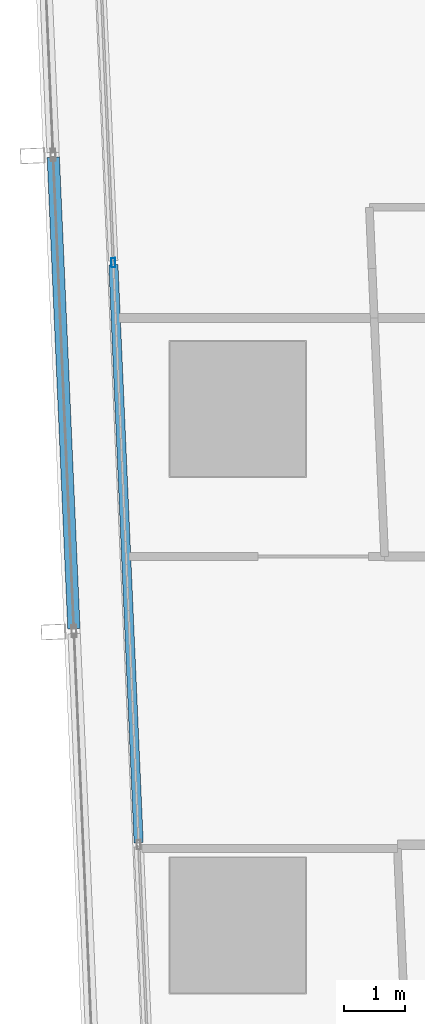
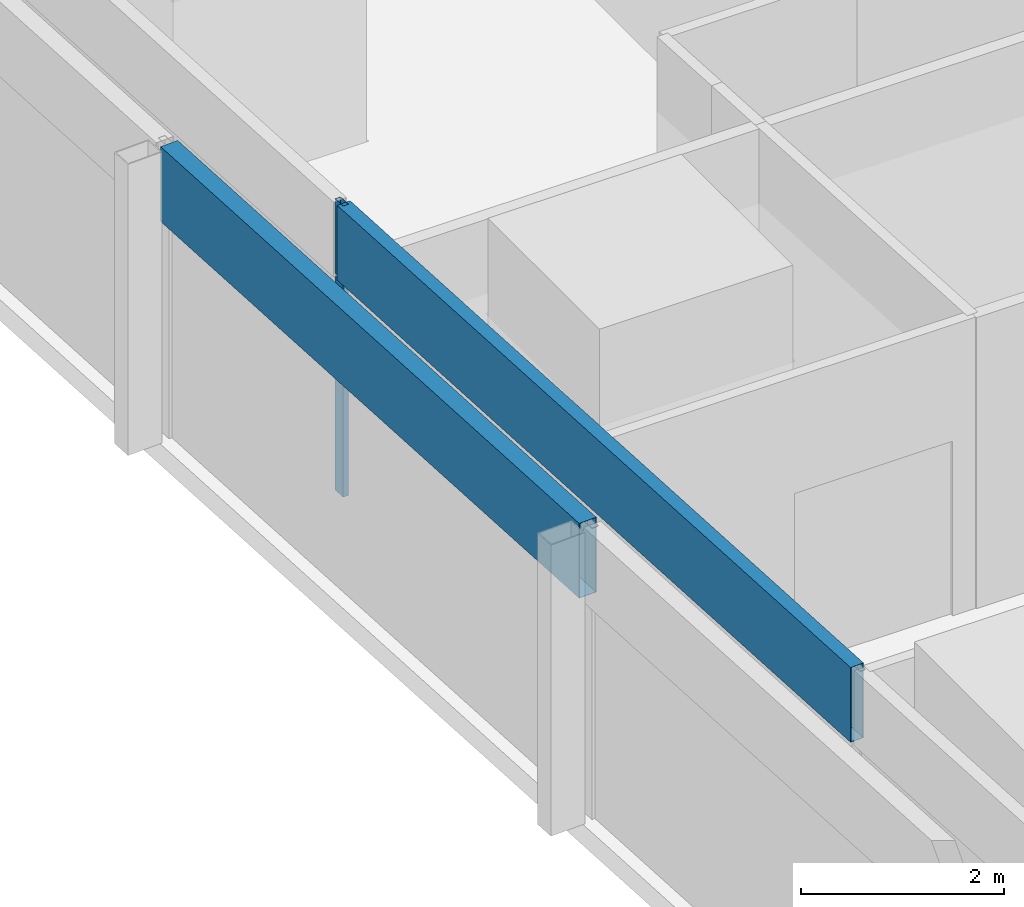
# One storey, part 8 of 45: 3 members, 2 elements without a shape of their own.
"""IFC4 building model written with IfcOpenShell, lengths in metres."""

from ifc_helpers import new_model, si_unit, direction, frame, origin, origin_2d, place, context, subcontext, project, spatial, hollow_rectangle, extrude, material, material_profile, profile_set, type_object, element, aggregate, save


model = new_model("IFC4")

# Units and contexts
model_context = context("Model", 3, precision=1e-05, world=origin(), true_north=direction((0.0, 1.0)))
body_context = subcontext(model_context, "Body", "Model", "MODEL_VIEW")
ifc_project = project(units=[si_unit("LENGTHUNIT", "METRE"), si_unit("AREAUNIT", "SQUARE_METRE"), si_unit("VOLUMEUNIT", "CUBIC_METRE"), si_unit("PLANEANGLEUNIT", "RADIAN"), si_unit("MASSUNIT", "GRAM", prefix="KILO")], contexts=[model_context])

# Site, building, storey
site_placement = place(None, origin())
site = spatial("IfcSite", under=ifc_project, at=site_placement, CompositionType="ELEMENT")
building_placement = place(site_placement, origin())
building = spatial("IfcBuilding", under=site, at=building_placement, Name="Rekha Terrace Tower", CompositionType="ELEMENT")
storey_placement = place(building_placement, frame((0.0, 0.0, 44.14990234375)))
storey = spatial("IfcBuildingStorey", under=building, at=storey_placement, Name="L10", CompositionType="ELEMENT", Elevation=44.14990234375)

# Curtain wall, members
ifc_material_1 = material(Name="Aluminium framing", Category="aluminium")
curtain_wall_type_1 = type_object("IfcCurtainWallType", Name="CW1 double skin inner glazing", PredefinedType="USERDEFINED", material=ifc_material_1)
curtain_wall_1_placement = place(storey_placement, origin())
curtain_wall_1 = element("IfcCurtainWall", 1, at=curtain_wall_1_placement, inside=storey, type_object=curtain_wall_type_1, Name="CW1 double skin inner glazing", ObjectType="DOUBLE SKIN INNER GLAZING", PredefinedType="USERDEFINED")
ifc_material_2 = material(Name="Aluminium mullion section", Category="aluminium")
ifc_material_profile_1 = material_profile(ifc_material_2, hollow_rectangle(XDim=0.06494140625, YDim=0.14990234375, WallThickness=0.00390625, at=origin_2d()), Name="AL RHS 65x150")
ifc_profile_set_1 = profile_set([ifc_material_profile_1], Name="Aluminium mullion section")
member_type_1 = type_object("IfcMemberType", Name="CW1 mullion RHS 65 x 150", PredefinedType="MULLION", material=ifc_profile_set_1)
member_1_placement = place(storey_placement, frame((6.37646484375, 35.978271484375, 0.0), z_axis=(0.0, 0.0, 1.0), x_axis=(0.999045462133, 0.043682543337, 0.0)))
member_1 = element("IfcMember", 2, at=member_1_placement, type_object=member_type_1, Name="CW1 mullion 2", PredefinedType="MULLION", context=body_context, shape_type="SweptSolid", body=[
    extrude(hollow_rectangle(XDim=0.06494140625, YDim=0.14990234375, WallThickness=0.00390625, at=origin_2d()), origin(), (0.0, 0.0, 1.0), 3.5),
])
ifc_material_3 = material(Name="Insulated aluminium spandrel box", Category="aluminium")
ifc_material_profile_2 = material_profile(ifc_material_3, hollow_rectangle(XDim=0.14990234375, YDim=0.89990234375, WallThickness=0.0029296875, at=origin_2d()), Name="AL SPANDREL BOX 150x900")
ifc_profile_set_2 = profile_set([ifc_material_profile_2], Name="Insulated aluminium spandrel box")
member_type_2 = type_object("IfcMemberType", Name="CW1 spandrel transom 150 x 900", PredefinedType="USERDEFINED", material=ifc_profile_set_2)
member_2_placement = place(storey_placement, frame((6.3779296875, 35.94580078125, 3.050048828125), z_axis=(0.043666917606, -0.999046145234, 0.0), x_axis=(0.999046145234, 0.043666917606, 0.0)))
member_2 = element("IfcMember", 3, at=member_2_placement, type_object=member_type_2, Name="CW1 spandrel transom 2", ObjectType="TRANSOM", PredefinedType="USERDEFINED", context=body_context, shape_type="SweptSolid", body=[
    extrude(hollow_rectangle(XDim=0.14990234375, YDim=0.89990234375, WallThickness=0.0029296875, at=origin_2d()), origin(), (0.0, 0.0, 1.0), 9.40966796875),
])
aggregate(curtain_wall_1, [member_1, member_2])

# Curtain wall, member
curtain_wall_type_2 = type_object("IfcCurtainWallType", Name="CW2 double skin outer glazing", PredefinedType="USERDEFINED", material=ifc_material_1)
curtain_wall_2_placement = place(storey_placement, origin())
curtain_wall_2 = element("IfcCurtainWall", 4, at=curtain_wall_2_placement, inside=storey, type_object=curtain_wall_type_2, Name="CW2 double skin outer glazing", ObjectType="DOUBLE SKIN OUTER GLAZING", PredefinedType="USERDEFINED")
ifc_material_profile_3 = material_profile(ifc_material_3, hollow_rectangle(XDim=0.199951171875, YDim=0.89990234375, WallThickness=0.0029296875, at=origin_2d()), Name="AL SPANDREL BOX 200x900")
ifc_profile_set_3 = profile_set([ifc_material_profile_3], Name="Insulated aluminium spandrel box")
member_type_3 = type_object("IfcMemberType", Name="CW2 spandrel transom 200 x 900", PredefinedType="USERDEFINED", material=ifc_profile_set_3)
member_3_placement = place(storey_placement, frame((5.400634765625, 37.690185546875, 3.050048828125), z_axis=(0.04369270591, -0.99904501773, 0.0), x_axis=(0.99904501773, 0.04369270591, 0.0)))
member_3 = element("IfcMember", 5, at=member_3_placement, type_object=member_type_3, Name="CW2 spandrel transom 2", ObjectType="TRANSOM", PredefinedType="USERDEFINED", context=body_context, shape_type="SweptSolid", body=[
    extrude(hollow_rectangle(XDim=0.199951171875, YDim=0.89990234375, WallThickness=0.0029296875, at=origin_2d()), origin(), (0.0, 0.0, 1.0), 7.671875),
])
aggregate(curtain_wall_2, [member_3])

save(model, "model.ifc")
